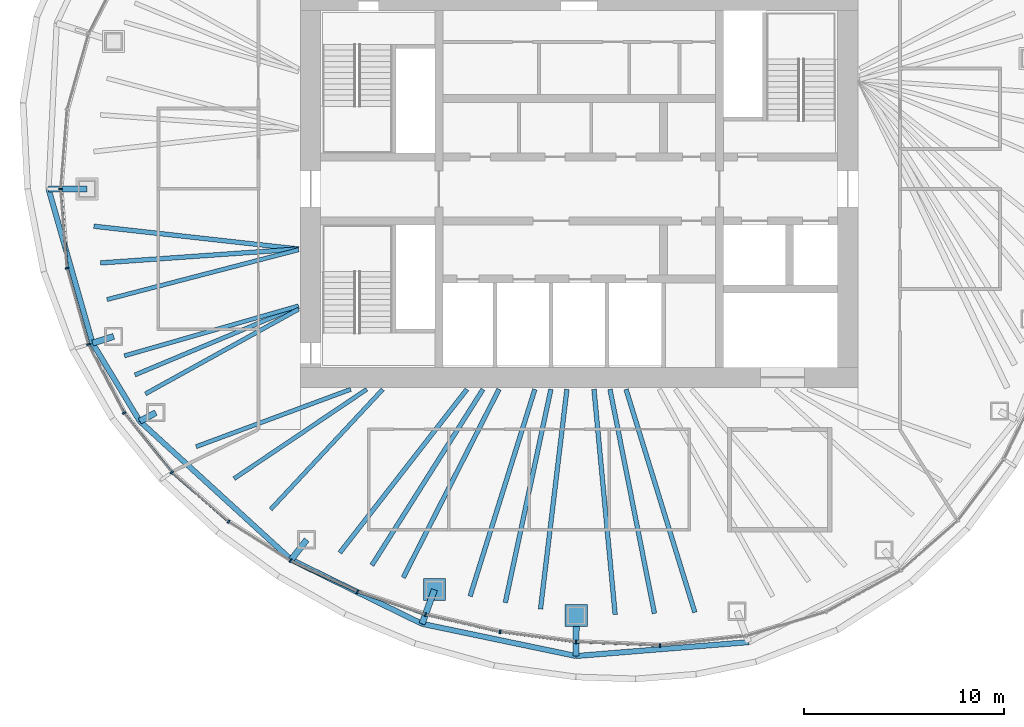
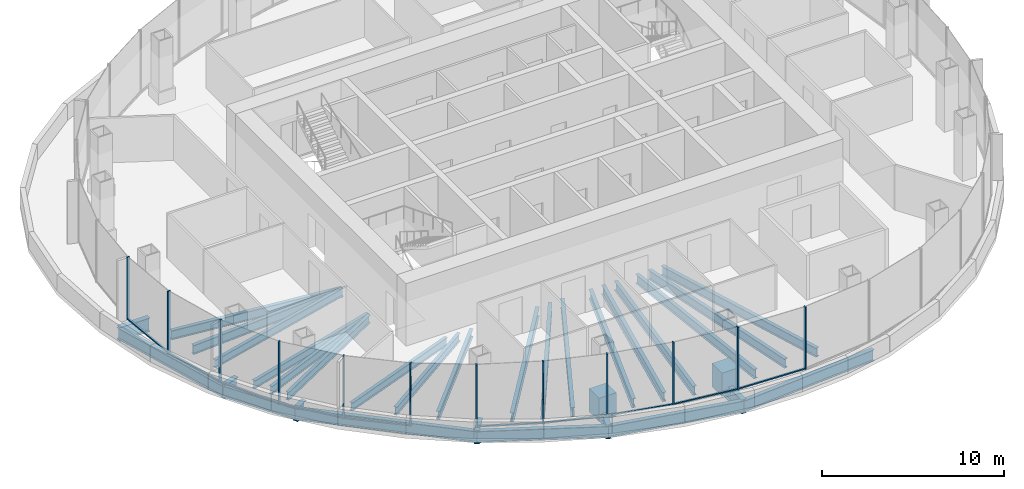
# One storey, part 2 of 13: 30 beams, 24 members, 6 elements without a shape of their own.
"""IFC4 building model written with IfcOpenShell, lengths in metres."""

from ifc_helpers import new_model, si_unit, direction, frame, origin, origin_2d, place, context, subcontext, project, spatial, rectangle, hollow_rectangle, i_section, extrude, boolean, material, material_profile, profile_set, type_object, element, aggregate, save


model = new_model("IFC4")

# Units and contexts
model_context = context("Model", 3, precision=1e-05, world=origin(), true_north=direction((0.0, 1.0)))
body_context = subcontext(model_context, "Body", "Model", "MODEL_VIEW")
ifc_project = project(units=[si_unit("LENGTHUNIT", "METRE"), si_unit("AREAUNIT", "SQUARE_METRE"), si_unit("VOLUMEUNIT", "CUBIC_METRE"), si_unit("PLANEANGLEUNIT", "RADIAN"), si_unit("MASSUNIT", "GRAM", prefix="KILO")], contexts=[model_context])

# Site, building, storey
site_placement = place(None, origin())
site = spatial("IfcSite", under=ifc_project, at=site_placement, CompositionType="ELEMENT")
building_placement = place(site_placement, origin())
building = spatial("IfcBuilding", under=site, at=building_placement, Name="Ghaith Harvest Tower", CompositionType="ELEMENT")
storey_placement = place(building_placement, frame((0.0, 0.0, 271.199951171875)))
storey = spatial("IfcBuildingStorey", under=building, at=storey_placement, Name="L60", CompositionType="ELEMENT", Elevation=271.199951171875)

# Curtain wall, members
ifc_material_1 = material(Name="Black anodised aluminium and fritted glass", Category="aluminium")
curtain_wall_type = type_object("IfcCurtainWallType", Name="CW-T CURTAIN WALL", PredefinedType="NOTDEFINED", material=ifc_material_1)
curtain_wall_1_placement = place(storey_placement, origin())
curtain_wall_1 = element("IfcCurtainWall", 1, at=curtain_wall_1_placement, inside=storey, type_object=curtain_wall_type, Name="Curtain wall CW-T bay 11 L60", PredefinedType="NOTDEFINED")
ifc_material_2 = material(Name="Aluminium, black anodised", Category="aluminium")
ifc_material_profile_1 = material_profile(ifc_material_2, rectangle(XDim=0.080078125, YDim=0.179931640625, at=origin_2d()), Name="CW-T MULLION 80x180")
ifc_profile_set_1 = profile_set([ifc_material_profile_1], Name="Aluminium, black anodised")
member_type_1 = type_object("IfcMemberType", Name="CW-T MULLION 80x180", PredefinedType="MULLION", material=ifc_profile_set_1)
member_1_placement = place(storey_placement, frame((-25.8701171875, 0.0, 0.0), z_axis=(0.0, 0.0, 1.0), x_axis=(-1.05e-10, -1.0, 0.0)))
member_1 = element("IfcMember", 2, at=member_1_placement, type_object=member_type_1, Name="CW-T mullion 1 bay 11 L60", PredefinedType="MULLION", context=body_context, shape_type="SweptSolid", body=[
    extrude(rectangle(XDim=0.080078125, YDim=0.179931640625, at=origin_2d()), origin(), (0.0, 0.0, 1.0), 4.199951171875),
])
member_2_placement = place(storey_placement, frame((-25.5517578125, -3.9521484375, 0.0), z_axis=(0.0, 0.0, 1.0), x_axis=(0.176001391003, -0.98438991785, 0.0)))
member_2 = element("IfcMember", 3, at=member_2_placement, type_object=member_type_1, Name="CW-T mullion 2 bay 11 L60", PredefinedType="MULLION", context=body_context, shape_type="SweptSolid", body=[
    extrude(rectangle(XDim=0.080078125, YDim=0.179931640625, at=origin_2d()), origin(), (0.0, 0.0, 1.0), 4.199951171875),
])

curtain_wall_2_placement = place(storey_placement, origin())
curtain_wall_2 = element("IfcCurtainWall", 4, at=curtain_wall_2_placement, inside=storey, type_object=curtain_wall_type, Name="Curtain wall CW-T bay 12 L60", PredefinedType="NOTDEFINED")
member_3_placement = place(storey_placement, frame((-24.482666015625, -7.759033203125, 0.0), z_axis=(0.0, 0.0, 1.0), x_axis=(0.366473104734, -0.930428645038, 0.0)))
member_3 = element("IfcMember", 5, at=member_3_placement, type_object=member_type_1, Name="CW-T mullion 1 bay 12 L60", PredefinedType="MULLION", context=body_context, shape_type="SweptSolid", body=[
    extrude(rectangle(XDim=0.080078125, YDim=0.179931640625, at=origin_2d()), origin(), (0.0, 0.0, 1.0), 4.199951171875),
])
member_4_placement = place(storey_placement, frame((-22.706298828125, -11.176513671875, 0.0), z_axis=(0.0, 0.0, 1.0), x_axis=(0.545865412431, -0.837872873121, 0.0)))
member_4 = element("IfcMember", 6, at=member_4_placement, type_object=member_type_1, Name="CW-T mullion 2 bay 12 L60", PredefinedType="MULLION", context=body_context, shape_type="SweptSolid", body=[
    extrude(rectangle(XDim=0.080078125, YDim=0.179931640625, at=origin_2d()), origin(), (0.0, 0.0, 1.0), 4.199951171875),
])

curtain_wall_3_placement = place(storey_placement, origin())
curtain_wall_3 = element("IfcCurtainWall", 7, at=curtain_wall_3_placement, inside=storey, type_object=curtain_wall_type, Name="Curtain wall CW-T bay 13 L60", PredefinedType="NOTDEFINED")
member_5_placement = place(storey_placement, frame((-20.324462890625, -14.141845703125, 0.0), z_axis=(0.0, 0.0, 1.0), x_axis=(0.692826491831, -0.721104328248, 0.0)))
member_5 = element("IfcMember", 8, at=member_5_placement, type_object=member_type_1, Name="CW-T mullion 1 bay 13 L60", PredefinedType="MULLION", context=body_context, shape_type="SweptSolid", body=[
    extrude(rectangle(XDim=0.080078125, YDim=0.179931640625, at=origin_2d()), origin(), (0.0, 0.0, 1.0), 4.199951171875),
])
member_6_placement = place(storey_placement, frame((-17.49462890625, -16.600830078125, 0.0), z_axis=(0.0, 0.0, 1.0), x_axis=(0.802189888845, -0.59706899286, 0.0)))
member_6 = element("IfcMember", 9, at=member_6_placement, type_object=member_type_1, Name="CW-T mullion 2 bay 13 L60", PredefinedType="MULLION", context=body_context, shape_type="SweptSolid", body=[
    extrude(rectangle(XDim=0.080078125, YDim=0.179931640625, at=origin_2d()), origin(), (0.0, 0.0, 1.0), 4.199951171875),
])

curtain_wall_4_placement = place(storey_placement, origin())
curtain_wall_4 = element("IfcCurtainWall", 10, at=curtain_wall_4_placement, inside=storey, type_object=curtain_wall_type, Name="Curtain wall CW-T bay 14 L60", PredefinedType="NOTDEFINED")
member_7_placement = place(storey_placement, frame((-14.40478515625, -18.5478515625, 0.0), z_axis=(0.0, 0.0, 1.0), x_axis=(0.878671732732, -0.477426419564, 0.0)))
member_7 = element("IfcMember", 11, at=member_7_placement, type_object=member_type_1, Name="CW-T mullion 1 bay 14 L60", PredefinedType="MULLION", context=body_context, shape_type="SweptSolid", body=[
    extrude(rectangle(XDim=0.080078125, YDim=0.179931640625, at=origin_2d()), origin(), (0.0, 0.0, 1.0), 4.199951171875),
])
member_8_placement = place(storey_placement, frame((-11.0673828125, -20.093017578125, 0.0), z_axis=(0.0, 0.0, 1.0), x_axis=(0.92862442092, -0.371021138038, 0.0)))
member_8 = element("IfcMember", 12, at=member_8_placement, type_object=member_type_1, Name="CW-T mullion 2 bay 14 L60", PredefinedType="MULLION", context=body_context, shape_type="SweptSolid", body=[
    extrude(rectangle(XDim=0.080078125, YDim=0.179931640625, at=origin_2d()), origin(), (0.0, 0.0, 1.0), 4.199951171875),
])

curtain_wall_5_placement = place(storey_placement, origin())
curtain_wall_5 = element("IfcCurtainWall", 13, at=curtain_wall_5_placement, inside=storey, type_object=curtain_wall_type, Name="Curtain wall CW-T bay 15 L60", PredefinedType="NOTDEFINED")
member_9_placement = place(storey_placement, frame((-7.6708984375, -21.23828125, 0.0), z_axis=(0.0, 0.0, 1.0), x_axis=(0.962552491659, -0.271095372151, 0.0)))
member_9 = element("IfcMember", 14, at=member_9_placement, type_object=member_type_1, Name="CW-T mullion 1 bay 15 L60", PredefinedType="MULLION", context=body_context, shape_type="SweptSolid", body=[
    extrude(rectangle(XDim=0.080078125, YDim=0.179931640625, at=origin_2d()), origin(), (0.0, 0.0, 1.0), 4.199951171875),
])
member_10_placement = place(storey_placement, frame((-3.946533203125, -22.0986328125, 0.0), z_axis=(0.0, 0.0, 1.0), x_axis=(0.983843447712, -0.179030920217, 0.0)))
member_10 = element("IfcMember", 15, at=member_10_placement, type_object=member_type_1, Name="CW-T mullion 2 bay 15 L60", PredefinedType="MULLION", context=body_context, shape_type="SweptSolid", body=[
    extrude(rectangle(XDim=0.080078125, YDim=0.179931640625, at=origin_2d()), origin(), (0.0, 0.0, 1.0), 4.199951171875),
])

curtain_wall_6_placement = place(storey_placement, origin())
curtain_wall_6 = element("IfcCurtainWall", 16, at=curtain_wall_6_placement, inside=storey, type_object=curtain_wall_type, Name="Curtain wall CW-T bay 16 L60", PredefinedType="NOTDEFINED")
member_11_placement = place(storey_placement, frame((-0.15478515625, -22.60595703125, 0.0), z_axis=(0.0, 0.0, 1.0), x_axis=(0.996414855524, -0.084601629366, 0.0)))
member_11 = element("IfcMember", 17, at=member_11_placement, type_object=member_type_1, Name="CW-T mullion 1 bay 16 L60", PredefinedType="MULLION", context=body_context, shape_type="SweptSolid", body=[
    extrude(rectangle(XDim=0.080078125, YDim=0.179931640625, at=origin_2d()), origin(), (0.0, 0.0, 1.0), 4.199951171875),
])
member_12_placement = place(storey_placement, frame((4.037841796875, -22.776611328125, 0.0), z_axis=(0.0, 0.0, 1.0), x_axis=(0.999388631241, 0.034962318939, 0.0)))
member_12 = element("IfcMember", 18, at=member_12_placement, type_object=member_type_1, Name="CW-T mullion 2 bay 16 L60", PredefinedType="MULLION", context=body_context, shape_type="SweptSolid", body=[
    extrude(rectangle(XDim=0.080078125, YDim=0.179931640625, at=origin_2d()), origin(), (0.0, 0.0, 1.0), 4.199951171875),
])

# Member
ifc_material_3 = material(Name="Aluminium, black anodised", Category="aluminium")
ifc_material_profile_2 = material_profile(ifc_material_3, rectangle(XDim=0.1201171875, YDim=0.080078125, at=origin_2d()), Name="CW-T TRANSOM 120x80")
ifc_profile_set_2 = profile_set([ifc_material_profile_2], Name="Aluminium, black anodised")
member_type_2 = type_object("IfcMemberType", Name="CW-T TRANSOM 120x80", PredefinedType="USERDEFINED", material=ifc_profile_set_2)
member_13_placement = place(storey_placement, frame((-25.86669921875, -0.039794921875, 0.0400390625), z_axis=(0.08025226314, -0.996774585481, 0.0), x_axis=(0.996774585481, 0.08025226314, 0.0)))
member_13 = element("IfcMember", 19, at=member_13_placement, type_object=member_type_2, Name="CW-T transom 1 bay 11 L60", ObjectType="TRANSOM", PredefinedType="USERDEFINED", context=body_context, shape_type="SweptSolid", body=[
    extrude(rectangle(XDim=0.1201171875, YDim=0.080078125, at=origin_2d()), origin(), (0.0, 0.0, 1.0), 3.884765625),
])

member_14_placement = place(storey_placement, frame((-25.541015625, -3.990478515625, 0.0400390625), z_axis=(0.270340422972, -0.962764797709, 0.0), x_axis=(0.962764797709, 0.270340422972, 0.0)))
member_14 = element("IfcMember", 20, at=member_14_placement, type_object=member_type_2, Name="CW-T transom 2 bay 11 L60", ObjectType="TRANSOM", PredefinedType="USERDEFINED", context=body_context, shape_type="SweptSolid", body=[
    extrude(rectangle(XDim=0.1201171875, YDim=0.080078125, at=origin_2d()), origin(), (0.0, 0.0, 1.0), 3.874267578125),
])

aggregate(curtain_wall_1, [member_1, member_13, member_2, member_14])

member_15_placement = place(storey_placement, frame((-24.46435546875, -7.79443359375, 0.0400390625), z_axis=(0.461242681347, -0.887274021317, 0.0), x_axis=(0.887274021317, 0.461242681347, 0.0)))
member_15 = element("IfcMember", 21, at=member_15_placement, type_object=member_type_2, Name="CW-T transom 1 bay 12 L60", ObjectType="TRANSOM", PredefinedType="USERDEFINED", context=body_context, shape_type="SweptSolid", body=[
    extrude(rectangle(XDim=0.1201171875, YDim=0.080078125, at=origin_2d()), origin(), (0.0, 0.0, 1.0), 3.77197265625),
])

member_16_placement = place(storey_placement, frame((-22.68115234375, -11.207763671875, 0.0400390625), z_axis=(0.626253073761, -0.779619835307, 0.0), x_axis=(0.779619835307, 0.626253073761, 0.0)))
member_16 = element("IfcMember", 22, at=member_16_placement, type_object=member_type_2, Name="CW-T transom 2 bay 12 L60", ObjectType="TRANSOM", PredefinedType="USERDEFINED", context=body_context, shape_type="SweptSolid", body=[
    extrude(rectangle(XDim=0.1201171875, YDim=0.080078125, at=origin_2d()), origin(), (0.0, 0.0, 1.0), 3.723388671875),
])

aggregate(curtain_wall_2, [member_3, member_15, member_4, member_16])

member_17_placement = place(storey_placement, frame((-20.294189453125, -14.168212890625, 0.0400390625), z_axis=(0.754851889287, -0.65589528527, 0.0), x_axis=(0.65589528527, 0.754851889287, 0.0)))
member_17 = element("IfcMember", 23, at=member_17_placement, type_object=member_type_2, Name="CW-T transom 1 bay 13 L60", ObjectType="TRANSOM", PredefinedType="USERDEFINED", context=body_context, shape_type="SweptSolid", body=[
    extrude(rectangle(XDim=0.1201171875, YDim=0.080078125, at=origin_2d()), origin(), (0.0, 0.0, 1.0), 3.668701171875),
])

aggregate(curtain_wall_3, [member_5, member_17, member_6])

member_18_placement = place(storey_placement, frame((-14.36865234375, -18.564697265625, 0.0400390625), z_axis=(0.907472177056, -0.420112184862, 0.0), x_axis=(0.420112184862, 0.907472177056, 0.0)))
member_18 = element("IfcMember", 24, at=member_18_placement, type_object=member_type_2, Name="CW-T transom 1 bay 14 L60", ObjectType="TRANSOM", PredefinedType="USERDEFINED", context=body_context, shape_type="SweptSolid", body=[
    extrude(rectangle(XDim=0.1201171875, YDim=0.080078125, at=origin_2d()), origin(), (0.0, 0.0, 1.0), 3.597900390625),
])

member_19_placement = place(storey_placement, frame((-11.029541015625, -20.105712890625, 0.0400390625), z_axis=(0.9475698206, -0.319548799228, 0.0), x_axis=(0.319548799228, 0.9475698206, 0.0)))
member_19 = element("IfcMember", 25, at=member_19_placement, type_object=member_type_2, Name="CW-T transom 2 bay 14 L60", ObjectType="TRANSOM", PredefinedType="USERDEFINED", context=body_context, shape_type="SweptSolid", body=[
    extrude(rectangle(XDim=0.1201171875, YDim=0.080078125, at=origin_2d()), origin(), (0.0, 0.0, 1.0), 3.504638671875),
])

aggregate(curtain_wall_4, [member_7, member_18, member_8, member_19])

member_20_placement = place(storey_placement, frame((-7.6318359375, -21.247314453125, 0.0400390625), z_axis=(0.974344997799, -0.225059603803, 0.0), x_axis=(0.225059603803, 0.974344997799, 0.0)))
member_20 = element("IfcMember", 26, at=member_20_placement, type_object=member_type_2, Name="CW-T transom 1 bay 15 L60", ObjectType="TRANSOM", PredefinedType="USERDEFINED", context=body_context, shape_type="SweptSolid", body=[
    extrude(rectangle(XDim=0.1201171875, YDim=0.080078125, at=origin_2d()), origin(), (0.0, 0.0, 1.0), 3.742431640625),
])

member_21_placement = place(storey_placement, frame((-3.90673828125, -22.10400390625, 0.0400390625), z_axis=(0.99117202259, -0.132582131655, 0.0), x_axis=(0.132582131655, 0.99117202259, 0.0)))
member_21 = element("IfcMember", 27, at=member_21_placement, type_object=member_type_2, Name="CW-T transom 2 bay 15 L60", ObjectType="TRANSOM", PredefinedType="USERDEFINED", context=body_context, shape_type="SweptSolid", body=[
    extrude(rectangle(XDim=0.1201171875, YDim=0.080078125, at=origin_2d()), origin(), (0.0, 0.0, 1.0), 3.745361328125),
])

aggregate(curtain_wall_5, [member_9, member_20, member_10, member_21])

member_22_placement = place(storey_placement, frame((-0.11474609375, -22.607666015625, 0.0400390625), z_axis=(0.999174207562, -0.040631304968, 0.0), x_axis=(0.040631304968, 0.999174207562, 0.0)))
member_22 = element("IfcMember", 28, at=member_22_placement, type_object=member_type_2, Name="CW-T transom 1 bay 16 L60", ObjectType="TRANSOM", PredefinedType="USERDEFINED", context=body_context, shape_type="SweptSolid", body=[
    extrude(rectangle(XDim=0.1201171875, YDim=0.080078125, at=origin_2d()), origin(), (0.0, 0.0, 1.0), 4.115966796875),
])

aggregate(curtain_wall_6, [member_11, member_22, member_12])

# Beams
ifc_material_4 = material(Name="Steel ASTM A992 Grade 50", Category="steel")
ifc_material_profile_3 = material_profile(ifc_material_4, i_section(OverallWidth=0.26611328125, OverallDepth=0.758056640625, WebThickness=0.013916015625, FlangeThickness=0.019287109375, at=origin_2d()), Name="W760X161")
ifc_profile_set_3 = profile_set([ifc_material_profile_3], Name="Steel ASTM A992 Grade 50")
beam_type_1 = type_object("IfcBeamType", Name="E760-161 W760X161", PredefinedType="SPANDREL", material=ifc_profile_set_3)
beam_1_placement = place(storey_placement, frame((-26.47509765625, 0.0, -0.654052734375), z_axis=(0.274322161791, -0.961637848439, 0.0), x_axis=(0.961637848439, 0.274322161791, 0.0)))
element("IfcBeam", 29, at=beam_1_placement, inside=storey, type_object=beam_type_1, Name="Setback edge beam E11 L60", PredefinedType="SPANDREL", context=body_context, shape_type="SweptSolid", body=[
    extrude(i_section(OverallWidth=0.26611328125, OverallDepth=0.758056640625, WebThickness=0.013916015625, FlangeThickness=0.019287109375, at=origin_2d()), origin(), (0.0, 0.0, 1.0), 8.001708984375),
])
beam_2_placement = place(storey_placement, frame((-24.280029296875, -7.69482421875, -0.654052734375), z_axis=(0.517529878698, -0.855665135818, 0.0), x_axis=(0.855665135818, 0.517529878698, 0.0)))
element("IfcBeam", 30, at=beam_2_placement, inside=storey, type_object=beam_type_1, Name="Setback edge beam E12 L60", PredefinedType="SPANDREL", context=body_context, shape_type="SweptSolid", body=[
    extrude(i_section(OverallWidth=0.26611328125, OverallDepth=0.758056640625, WebThickness=0.013916015625, FlangeThickness=0.019287109375, at=origin_2d()), origin(), (0.0, 0.0, 1.0), 4.55078125),
])
beam_3_placement = place(storey_placement, frame((-21.9248046875, -11.5888671875, -0.654052734375), z_axis=(0.737920594832, -0.67488754302, 0.0), x_axis=(0.67488754302, 0.737920594832, 0.0)))
element("IfcBeam", 31, at=beam_3_placement, inside=storey, type_object=beam_type_1, Name="Setback edge beam E13 L60", PredefinedType="SPANDREL", context=body_context, shape_type="SweptSolid", body=[
    extrude(i_section(OverallWidth=0.26611328125, OverallDepth=0.758056640625, WebThickness=0.013916015625, FlangeThickness=0.019287109375, at=origin_2d()), origin(), (0.0, 0.0, 1.0), 10.24072265625),
])
beam_4_placement = place(storey_placement, frame((-14.367919921875, -18.500244140625, -0.654052734375), z_axis=(0.897983934146, -0.440028242293, 0.0), x_axis=(0.440028242293, 0.897983934146, 0.0)))
element("IfcBeam", 32, at=beam_4_placement, inside=storey, type_object=beam_type_1, Name="Setback edge beam E14 L60", PredefinedType="SPANDREL", context=body_context, shape_type="SweptSolid", body=[
    extrude(i_section(OverallWidth=0.26611328125, OverallDepth=0.758056640625, WebThickness=0.013916015625, FlangeThickness=0.019287109375, at=origin_2d()), origin(), (0.0, 0.0, 1.0), 7.272216796875),
])
beam_5_placement = place(storey_placement, frame((-7.837646484375, -21.7001953125, -0.654052734375), z_axis=(0.978837768521, -0.204637784675, 0.0), x_axis=(0.204637784675, 0.978837768521, 0.0)))
element("IfcBeam", 33, at=beam_5_placement, inside=storey, type_object=beam_type_1, Name="Setback edge beam E15 L60", PredefinedType="SPANDREL", context=body_context, shape_type="SweptSolid", body=[
    extrude(i_section(OverallWidth=0.26611328125, OverallDepth=0.758056640625, WebThickness=0.013916015625, FlangeThickness=0.019287109375, at=origin_2d()), origin(), (0.0, 0.0, 1.0), 7.84423828125),
])
beam_6_placement = place(storey_placement, frame((-0.159423828125, -23.305419921875, -0.654052734375), z_axis=(0.996791427321, 0.080042803673, 0.0), x_axis=(-0.080042803673, 0.996791427321, 0.0)))
element("IfcBeam", 34, at=beam_6_placement, inside=storey, type_object=beam_type_1, Name="Setback edge beam E16 L60", PredefinedType="SPANDREL", context=body_context, shape_type="SweptSolid", body=[
    extrude(i_section(OverallWidth=0.26611328125, OverallDepth=0.758056640625, WebThickness=0.013916015625, FlangeThickness=0.019287109375, at=origin_2d()), origin(), (0.0, 0.0, 1.0), 8.64111328125),
])
ifc_material_5 = material(Name="Steel ASTM A992 Grade 50", Category="steel")
ifc_material_profile_4 = material_profile(ifc_material_5, i_section(OverallWidth=0.31005859375, OverallDepth=0.927001953125, WebThickness=0.019287109375, FlangeThickness=0.031982421875, at=origin_2d()), Name="W920X289")
ifc_profile_set_4 = profile_set([ifc_material_profile_4], Name="Steel ASTM A992 Grade 50")
beam_type_2 = type_object("IfcBeamType", Name="G920-289 W920X289", PredefinedType="BEAM", material=ifc_profile_set_4)
beam_7_placement = place(storey_placement, frame((-24.550048828125, 0.0, -0.738525390625), z_axis=(-1.0, 0.0, 0.0), x_axis=(0.0, -1.0, 0.0)))
element("IfcBeam", 35, at=beam_7_placement, inside=storey, type_object=beam_type_2, Name="Setback cantilever G11 L60", PredefinedType="BEAM", context=body_context, shape_type="SweptSolid", body=[
    extrude(i_section(OverallWidth=0.31005859375, OverallDepth=0.927001953125, WebThickness=0.019287109375, FlangeThickness=0.031982421875, at=origin_2d()), origin(), (0.0, 0.0, 1.0), 1.925048828125),
])
beam_8_placement = place(storey_placement, frame((-23.22412109375, -7.360107421875, -0.738525390625), z_axis=(-0.953252318349, -0.302175474787, 0.0), x_axis=(0.302175474787, -0.953252318349, 0.0)))
element("IfcBeam", 36, at=beam_8_placement, inside=storey, type_object=beam_type_2, Name="Setback cantilever G12 L60", PredefinedType="BEAM", context=body_context, shape_type="SweptSolid", body=[
    extrude(i_section(OverallWidth=0.31005859375, OverallDepth=0.927001953125, WebThickness=0.019287109375, FlangeThickness=0.031982421875, at=origin_2d()), origin(), (0.0, 0.0, 1.0), 1.107666015625),
])
beam_9_placement = place(storey_placement, frame((-21.125, -11.166015625, -0.738525390625), z_axis=(-0.884050340405, -0.467391694011, 0.0), x_axis=(0.467391694011, -0.884050340405, 0.0)))
element("IfcBeam", 37, at=beam_9_placement, inside=storey, type_object=beam_type_2, Name="Setback cantilever G13 L60", PredefinedType="BEAM", context=body_context, shape_type="SweptSolid", body=[
    extrude(i_section(OverallWidth=0.31005859375, OverallDepth=0.927001953125, WebThickness=0.019287109375, FlangeThickness=0.031982421875, at=origin_2d()), origin(), (0.0, 0.0, 1.0), 0.90478515625),
])
beam_10_placement = place(storey_placement, frame((-13.594970703125, -17.5048828125, -0.738525390625), z_axis=(-0.61333690268, -0.789821399945, 0.0), x_axis=(0.789821399945, -0.61333690268, 0.0)))
element("IfcBeam", 38, at=beam_10_placement, inside=storey, type_object=beam_type_2, Name="Setback cantilever G14 L60", PredefinedType="BEAM", context=body_context, shape_type="SweptSolid", body=[
    extrude(i_section(OverallWidth=0.31005859375, OverallDepth=0.927001953125, WebThickness=0.019287109375, FlangeThickness=0.031982421875, at=origin_2d()), origin(), (0.0, 0.0, 1.0), 1.26025390625),
])
beam_11_placement = place(storey_placement, frame((-7.221923828125, -19.9970703125, -0.738525390625), z_axis=(-0.33998896378, -0.940429425586, 0.0), x_axis=(0.940429425586, -0.33998896378, 0.0)))
element("IfcBeam", 39, at=beam_11_placement, inside=storey, type_object=beam_type_2, Name="Setback cantilever G15 L60", PredefinedType="BEAM", context=body_context, shape_type="SweptSolid", body=[
    extrude(i_section(OverallWidth=0.31005859375, OverallDepth=0.927001953125, WebThickness=0.019287109375, FlangeThickness=0.031982421875, at=origin_2d()), origin(), (0.0, 0.0, 1.0), 1.81103515625),
])
beam_12_placement = place(storey_placement, frame((-0.14599609375, -21.285888671875, -0.738525390625), z_axis=(-0.006648789206, -0.999977896557, 0.0), x_axis=(0.999977896557, -0.006648789206, 0.0)))
element("IfcBeam", 40, at=beam_12_placement, inside=storey, type_object=beam_type_2, Name="Setback cantilever G16 L60", PredefinedType="BEAM", context=body_context, shape_type="SweptSolid", body=[
    extrude(i_section(OverallWidth=0.31005859375, OverallDepth=0.927001953125, WebThickness=0.019287109375, FlangeThickness=0.031982421875, at=origin_2d()), origin(), (0.0, 0.0, 1.0), 2.01953125),
])
ifc_material_6 = material(Name="Steel ASTM A992 Grade 50", Category="steel")
ifc_material_profile_5 = material_profile(ifc_material_6, i_section(OverallWidth=0.2109375, OverallDepth=0.5390625, WebThickness=0.01171875, FlangeThickness=0.018798828125, at=origin_2d()), Name="W530X109")
ifc_profile_set_5 = profile_set([ifc_material_profile_5], Name="Steel ASTM A992 Grade 50")
beam_type_3 = type_object("IfcBeamType", Name="J530-109 W530X109", PredefinedType="JOIST", material=ifc_profile_set_5)
beam_13_placement = place(storey_placement, frame((-14.0, -3.036865234375, -0.439453125), z_axis=(-0.967859473684, -0.251491628487, 0.0), x_axis=(0.251491628487, -0.967859473684, 0.0)))
element("IfcBeam", 41, at=beam_13_placement, inside=storey, type_object=beam_type_3, Name="Joist J11.3 L60", PredefinedType="JOIST", context=body_context, shape_type="SweptSolid", body=[
    extrude(i_section(OverallWidth=0.2109375, OverallDepth=0.5390625, WebThickness=0.01171875, FlangeThickness=0.018798828125, at=origin_2d()), origin(), (0.0, 0.0, 1.0), 9.872802734375),
])
beam_14_placement = place(storey_placement, frame((-14.0, -5.8369140625, -0.439453125), z_axis=(-0.961304536785, -0.275487908185, 0.0), x_axis=(0.275487908185, -0.961304536785, 0.0)))
element("IfcBeam", 42, at=beam_14_placement, inside=storey, type_object=beam_type_3, Name="Joist J12.1 L60", PredefinedType="JOIST", context=body_context, shape_type="SweptSolid", body=[
    extrude(i_section(OverallWidth=0.2109375, OverallDepth=0.5390625, WebThickness=0.01171875, FlangeThickness=0.018798828125, at=origin_2d()), origin(), (0.0, 0.0, 1.0), 9.040283203125),
])
beam_15_placement = place(storey_placement, frame((-14.0, -5.862548828125, -0.439453125), z_axis=(-0.922387515293, -0.386265804377, 0.0), x_axis=(0.386265804377, -0.922387515293, 0.0)))
element("IfcBeam", 43, at=beam_15_placement, inside=storey, type_object=beam_type_3, Name="Joist J12.2 L60", PredefinedType="JOIST", context=body_context, shape_type="SweptSolid", body=[
    extrude(i_section(OverallWidth=0.2109375, OverallDepth=0.5390625, WebThickness=0.01171875, FlangeThickness=0.018798828125, at=origin_2d()), origin(), (0.0, 0.0, 1.0), 8.851318359375),
])
beam_16_placement = place(storey_placement, frame((-14.0, -6.0, -0.439453125), z_axis=(-0.875125976162, -0.483895159975, 0.0), x_axis=(0.483895159975, -0.875125976162, 0.0)))
element("IfcBeam", 44, at=beam_16_placement, inside=storey, type_object=beam_type_3, Name="Joist J12.3 L60", PredefinedType="JOIST", context=body_context, shape_type="SweptSolid", body=[
    extrude(i_section(OverallWidth=0.2109375, OverallDepth=0.5390625, WebThickness=0.01171875, FlangeThickness=0.018798828125, at=origin_2d()), origin(), (0.0, 0.0, 1.0), 8.73388671875),
])
beam_17_placement = place(storey_placement, frame((-11.39990234375, -10.0, -0.439453125), z_axis=(-0.937594001899, -0.34773191916, 0.0), x_axis=(0.34773191916, -0.937594001899, 0.0)))
element("IfcBeam", 45, at=beam_17_placement, inside=storey, type_object=beam_type_3, Name="Joist J13.1 L60", PredefinedType="JOIST", context=body_context, shape_type="SweptSolid", body=[
    extrude(i_section(OverallWidth=0.2109375, OverallDepth=0.5390625, WebThickness=0.01171875, FlangeThickness=0.018798828125, at=origin_2d()), origin(), (0.0, 0.0, 1.0), 8.225830078125),
])
beam_18_placement = place(storey_placement, frame((-10.60009765625, -10.0, -0.439453125), z_axis=(-0.829594017544, -0.55836705316, 0.0), x_axis=(0.55836705316, -0.829594017544, 0.0)))
element("IfcBeam", 46, at=beam_18_placement, inside=storey, type_object=beam_type_3, Name="Joist J13.2 L60", PredefinedType="JOIST", context=body_context, shape_type="SweptSolid", body=[
    extrude(i_section(OverallWidth=0.2109375, OverallDepth=0.5390625, WebThickness=0.01171875, FlangeThickness=0.018798828125, at=origin_2d()), origin(), (0.0, 0.0, 1.0), 7.977783203125),
])
beam_19_placement = place(storey_placement, frame((-9.800048828125, -10.0, -0.439453125), z_axis=(-0.68249016383, -0.730894777841, 0.0), x_axis=(0.730894777841, -0.68249016383, 0.0)))
element("IfcBeam", 47, at=beam_19_placement, inside=storey, type_object=beam_type_3, Name="Joist J13.3 L60", PredefinedType="JOIST", context=body_context, shape_type="SweptSolid", body=[
    extrude(i_section(OverallWidth=0.2109375, OverallDepth=0.5390625, WebThickness=0.01171875, FlangeThickness=0.018798828125, at=origin_2d()), origin(), (0.0, 0.0, 1.0), 8.196044921875),
])
ifc_material_7 = material(Name="Steel ASTM A992 Grade 50", Category="steel")
ifc_material_profile_6 = material_profile(ifc_material_7, i_section(OverallWidth=0.22998046875, OverallDepth=0.616943359375, WebThickness=0.01318359375, FlangeThickness=0.022216796875, at=origin_2d()), Name="W610X140")
ifc_profile_set_6 = profile_set([ifc_material_profile_6], Name="Steel ASTM A992 Grade 50")
beam_type_4 = type_object("IfcBeamType", Name="J610-140 W610X140", PredefinedType="JOIST", material=ifc_profile_set_6)
beam_20_placement = place(storey_placement, frame((-14.0, -3.0, -0.478515625), z_axis=(-0.993846599122, 0.110765235587, 0.0), x_axis=(-0.110765235587, -0.993846599122, 0.0)))
element("IfcBeam", 48, at=beam_20_placement, inside=storey, type_object=beam_type_4, Name="Joist J11.1 L60", PredefinedType="JOIST", context=body_context, shape_type="SweptSolid", body=[
    extrude(i_section(OverallWidth=0.22998046875, OverallDepth=0.616943359375, WebThickness=0.01318359375, FlangeThickness=0.022216796875, at=origin_2d()), origin(), (0.0, 0.0, 1.0), 10.27783203125),
])
beam_21_placement = place(storey_placement, frame((-14.0, -3.0, -0.478515625), z_axis=(-0.997543651048, -0.070047585643, 0.0), x_axis=(0.070047585643, -0.997543651048, 0.0)))
element("IfcBeam", 49, at=beam_21_placement, inside=storey, type_object=beam_type_4, Name="Joist J11.2 L60", PredefinedType="JOIST", context=body_context, shape_type="SweptSolid", body=[
    extrude(i_section(OverallWidth=0.22998046875, OverallDepth=0.616943359375, WebThickness=0.01318359375, FlangeThickness=0.022216796875, at=origin_2d()), origin(), (0.0, 0.0, 1.0), 9.908935546875),
])
beam_22_placement = place(storey_placement, frame((-5.60009765625, -10.0, -0.478515625), z_axis=(-0.614025710719, -0.789286023299, 0.0), x_axis=(0.789286023299, -0.614025710719, 0.0)))
element("IfcBeam", 50, at=beam_22_placement, inside=storey, type_object=beam_type_4, Name="Joist J14.1 L60", PredefinedType="JOIST", context=body_context, shape_type="SweptSolid", body=[
    extrude(i_section(OverallWidth=0.22998046875, OverallDepth=0.616943359375, WebThickness=0.01318359375, FlangeThickness=0.022216796875, at=origin_2d()), origin(), (0.0, 0.0, 1.0), 10.327880859375),
])
beam_23_placement = place(storey_placement, frame((-4.800048828125, -10.0, -0.478515625), z_axis=(-0.53392131252, -0.845534169645, 0.0), x_axis=(0.845534169645, -0.53392131252, 0.0)))
element("IfcBeam", 51, at=beam_23_placement, inside=storey, type_object=beam_type_4, Name="Joist J14.2 L60", PredefinedType="JOIST", context=body_context, shape_type="SweptSolid", body=[
    extrude(i_section(OverallWidth=0.22998046875, OverallDepth=0.616943359375, WebThickness=0.01318359375, FlangeThickness=0.022216796875, at=origin_2d()), origin(), (0.0, 0.0, 1.0), 10.38037109375),
])
beam_24_placement = place(storey_placement, frame((-4.0, -10.0, -0.478515625), z_axis=(-0.453367773234, -0.89132354518, 0.0), x_axis=(0.89132354518, -0.453367773234, 0.0)))
element("IfcBeam", 52, at=beam_24_placement, inside=storey, type_object=beam_type_4, Name="Joist J14.3 L60", PredefinedType="JOIST", context=body_context, shape_type="SweptSolid", body=[
    extrude(i_section(OverallWidth=0.22998046875, OverallDepth=0.616943359375, WebThickness=0.01318359375, FlangeThickness=0.022216796875, at=origin_2d()), origin(), (0.0, 0.0, 1.0), 10.5341796875),
])
beam_25_placement = place(storey_placement, frame((-2.2119140625, -10.0, -0.478515625), z_axis=(-0.298660582961, -0.954359395713, 0.0), x_axis=(0.954359395713, -0.298660582961, 0.0)))
element("IfcBeam", 53, at=beam_25_placement, inside=storey, type_object=beam_type_4, Name="Joist J15.1 L60", PredefinedType="JOIST", context=body_context, shape_type="SweptSolid", body=[
    extrude(i_section(OverallWidth=0.22998046875, OverallDepth=0.616943359375, WebThickness=0.01318359375, FlangeThickness=0.022216796875, at=origin_2d()), origin(), (0.0, 0.0, 1.0), 10.81494140625),
])
beam_26_placement = place(storey_placement, frame((-1.411865234375, -10.0, -0.478515625), z_axis=(-0.209017291736, -0.977911944786, 0.0), x_axis=(0.977911944786, -0.209017291736, 0.0)))
element("IfcBeam", 54, at=beam_26_placement, inside=storey, type_object=beam_type_4, Name="Joist J15.2 L60", PredefinedType="JOIST", context=body_context, shape_type="SweptSolid", body=[
    extrude(i_section(OverallWidth=0.22998046875, OverallDepth=0.616943359375, WebThickness=0.01318359375, FlangeThickness=0.022216796875, at=origin_2d()), origin(), (0.0, 0.0, 1.0), 10.88134765625),
])
beam_27_placement = place(storey_placement, frame((-0.61181640625, -10.0, -0.478515625), z_axis=(-0.119327467765, -0.992854951862, 0.0), x_axis=(0.992854951862, -0.119327467765, 0.0)))
element("IfcBeam", 55, at=beam_27_placement, inside=storey, type_object=beam_type_4, Name="Joist J15.3 L60", PredefinedType="JOIST", context=body_context, shape_type="SweptSolid", body=[
    extrude(i_section(OverallWidth=0.22998046875, OverallDepth=0.616943359375, WebThickness=0.01318359375, FlangeThickness=0.022216796875, at=origin_2d()), origin(), (0.0, 0.0, 1.0), 11.0400390625),
])
beam_28_placement = place(storey_placement, frame((0.73828125, -10.0, -0.478515625), z_axis=(0.09360009383, -0.995609874617, 0.0), x_axis=(0.995609874617, 0.09360009383, 0.0)))
element("IfcBeam", 56, at=beam_28_placement, inside=storey, type_object=beam_type_4, Name="Joist J16.1 L60", PredefinedType="JOIST", context=body_context, shape_type="SweptSolid", body=[
    extrude(i_section(OverallWidth=0.22998046875, OverallDepth=0.616943359375, WebThickness=0.01318359375, FlangeThickness=0.022216796875, at=origin_2d()), origin(), (0.0, 0.0, 1.0), 11.28369140625),
])
beam_29_placement = place(storey_placement, frame((1.538330078125, -10.0, -0.478515625), z_axis=(0.194464294321, -0.980909597381, 0.0), x_axis=(0.980909597381, 0.194464294321, 0.0)))
element("IfcBeam", 57, at=beam_29_placement, inside=storey, type_object=beam_type_4, Name="Joist J16.2 L60", PredefinedType="JOIST", context=body_context, shape_type="SweptSolid", body=[
    extrude(i_section(OverallWidth=0.22998046875, OverallDepth=0.616943359375, WebThickness=0.01318359375, FlangeThickness=0.022216796875, at=origin_2d()), origin(), (0.0, 0.0, 1.0), 11.3994140625),
])
beam_30_placement = place(storey_placement, frame((2.33837890625, -10.0, -0.478515625), z_axis=(0.294700109047, -0.955589789464, 0.0), x_axis=(0.955589789464, 0.294700109047, 0.0)))
element("IfcBeam", 58, at=beam_30_placement, inside=storey, type_object=beam_type_4, Name="Joist J16.3 L60", PredefinedType="JOIST", context=body_context, shape_type="SweptSolid", body=[
    extrude(i_section(OverallWidth=0.22998046875, OverallDepth=0.616943359375, WebThickness=0.01318359375, FlangeThickness=0.022216796875, at=origin_2d()), origin(), (0.0, 0.0, 1.0), 11.645263671875),
])

# Members
ifc_material_8 = material(Name="Steel S460M", Category="steel")
ifc_material_profile_7 = material_profile(ifc_material_8, hollow_rectangle(XDim=1.10009765625, YDim=1.10009765625, WallThickness=0.080078125, at=origin_2d()), Name="BOX1100X1100X80")
ifc_profile_set_7 = profile_set([ifc_material_profile_7], Name="Steel S460M")
member_type_3 = type_object("IfcMemberType", Name="KN1 BOX1100X1100X80", PredefinedType="USERDEFINED", material=ifc_profile_set_7)
for number, where, z_axis, x_axis, name in (
    (59, (-7.221923828125, -19.9970703125, -0.77490234375), (0.0, 0.0, 1.0), (1.0, 0.0, 0.0), "Raked column kink node C15 head L59"),
    (60, (-0.14599609375, -21.285888671875, -0.77490234375), (0.0, 0.0, 1.0), (1.0, 0.0, 0.0), "Raked column kink node C16 head L59"),
):
    element("IfcMember", number, at=place(storey_placement, frame(where, z_axis=z_axis, x_axis=x_axis)), inside=storey, type_object=member_type_3, Name=name, ObjectType="KINK NODE", PredefinedType="USERDEFINED", context=body_context, shape_type="CSG", body=[
        boolean("UNION", extrude(hollow_rectangle(XDim=1.10009765625, YDim=1.10009765625, WallThickness=0.080078125, at=origin_2d()), origin(), (0.0, 0.0, 1.0), 1.550048828125), extrude(rectangle(XDim=1.10009765625, YDim=1.10009765625, at=origin_2d()), frame((0.0, 0.0, 1.550048828125)), (0.0, 0.0, 1.0), 0.02490234375)),
    ])

save(model, "model.ifc")
